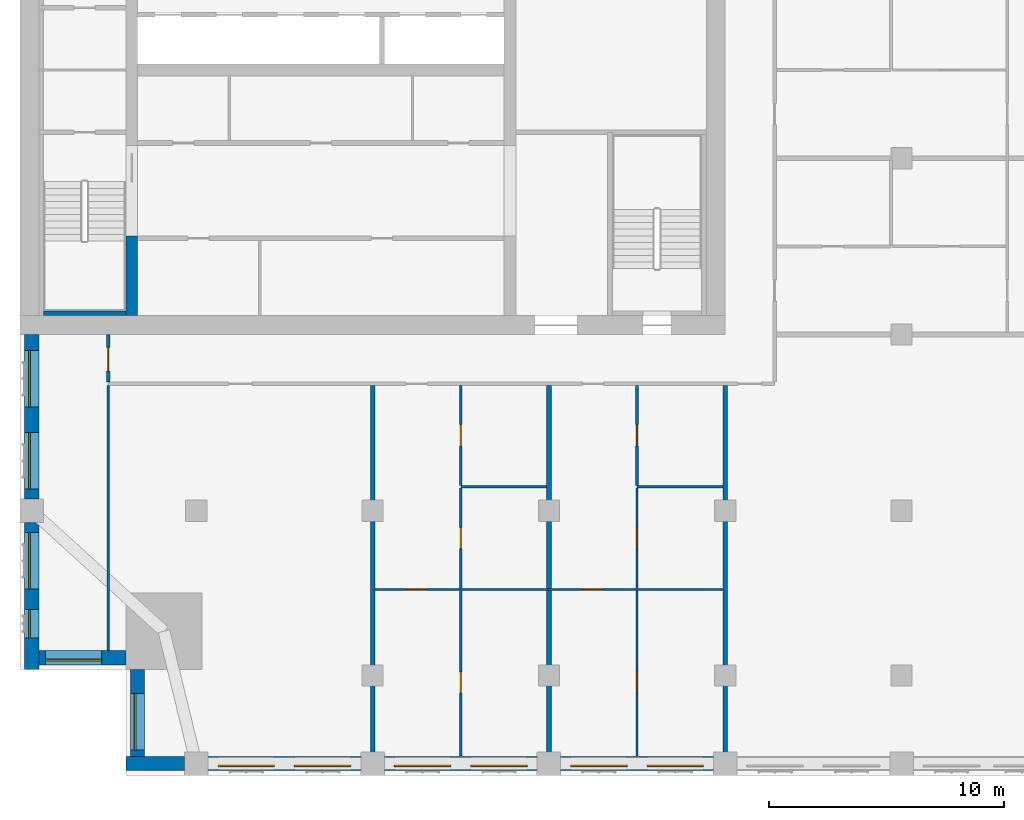
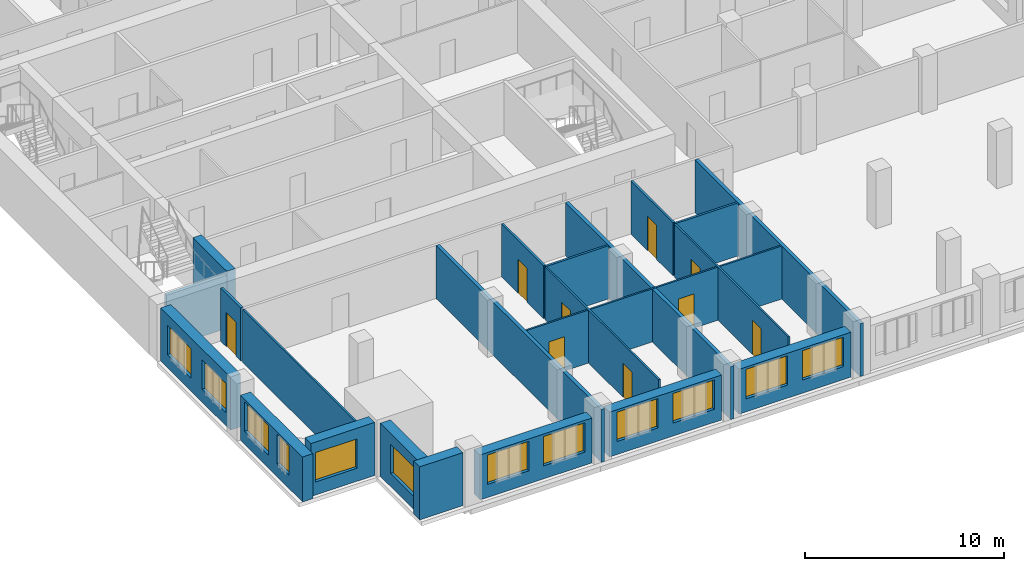
# One storey, part 6 of 14: 22 walls, 12 windows, 9 doors, 21 openings.
"""IFC4 building model written with IfcOpenShell, lengths in metres."""

from ifc_helpers import new_model, si_unit, direction, frame, frame_2d, origin, place, context, subcontext, project, spatial, rectangle, extrude, material, layer, layer_set, type_object, element, fill, save


model = new_model("IFC4")

# Units and contexts
model_context = context("Model", 3, precision=1e-05, world=origin(), true_north=direction((0.0, 1.0)))
body_context = subcontext(model_context, "Body", "Model", "MODEL_VIEW")
ifc_project = project(units=[si_unit("LENGTHUNIT", "METRE"), si_unit("AREAUNIT", "SQUARE_METRE"), si_unit("VOLUMEUNIT", "CUBIC_METRE"), si_unit("PLANEANGLEUNIT", "RADIAN"), si_unit("MASSUNIT", "GRAM", prefix="KILO")], contexts=[model_context])

# Site, building, storey
site_placement = place(None, origin())
site = spatial("IfcSite", under=ifc_project, at=site_placement, CompositionType="ELEMENT")
building_placement = place(site_placement, origin())
building = spatial("IfcBuilding", under=site, at=building_placement, Name="Tamorin Gate", CompositionType="ELEMENT")
storey_placement = place(building_placement, frame((0.0, 0.0, 189.699951171875)))
storey = spatial("IfcBuildingStorey", under=building, at=storey_placement, Name="L46", CompositionType="ELEMENT", Elevation=189.699951171875)

# Wall
ifc_material_1 = material(Name="Precast concrete C40/50", Category="concrete")
ifc_layer_1 = layer(ifc_material_1, 0.60009765625)
ifc_layer_set_1 = layer_set([ifc_layer_1], Name="Precast concrete C40/50")
wall_type_1 = type_object("IfcWallType", Name="Board-marked concrete facade panel 600", PredefinedType="SOLIDWALL", material=ifc_layer_set_1)
wall_1_placement = place(storey_placement, frame((34.5, 41.75, 0.0), z_axis=(0.0, 0.0, 1.0), x_axis=(1.0, 0.0, 0.0)))
element("IfcWall", 1, at=wall_1_placement, inside=storey, type_object=wall_type_1, Name="Facade panel", PredefinedType="SOLIDWALL", context=body_context, shape_type="SweptSolid", body=[
    extrude(rectangle(XDim=2.5, YDim=0.60009765625, at=frame_2d((1.25, 0.0))), origin(), (0.0, 0.0, 1.0), 3.25),
])

# Wall, openings, windows
wall_2_placement = place(storey_placement, frame((38.0, 41.75, 0.0), z_axis=(0.0, 0.0, 1.0), x_axis=(1.0, 0.0, 0.0)))
wall_2 = element("IfcWall", 2, at=wall_2_placement, inside=storey, type_object=wall_type_1, Name="Facade panel", PredefinedType="SOLIDWALL", context=body_context, shape_type="SweptSolid", body=[
    extrude(rectangle(XDim=6.5, YDim=0.60009765625, at=frame_2d((3.25, 0.0))), origin(), (0.0, 0.0, 1.0), 2.75),
])
opening_1_placement = place(wall_2_placement, frame((0.425048828125, 0.0, 0.800048828125)))
opening_1 = element("IfcOpeningElement", 3, at=opening_1_placement, cuts=wall_2, Name="Opening WN1", PredefinedType="OPENING", context=body_context, shape_type="SweptSolid", body=[
    extrude(rectangle(XDim=2.39990234375, YDim=1.800048828125, at=frame_2d((1.199951171875, 0.89990234375))), frame((0.0, 0.31005859375, 0.0), z_axis=(0.0, -1.0, 0.0), x_axis=(1.0, 0.0, 0.0)), (0.0, 0.0, 1.0), 0.6201171875),
])
opening_2_placement = place(wall_2_placement, frame((3.675048828125, 0.0, 0.800048828125)))
opening_2 = element("IfcOpeningElement", 4, at=opening_2_placement, cuts=wall_2, Name="Opening WN1", PredefinedType="OPENING", context=body_context, shape_type="SweptSolid", body=[
    extrude(rectangle(XDim=2.39990234375, YDim=1.800048828125, at=frame_2d((1.199951171875, 0.89990234375))), frame((0.0, 0.31005859375, 0.0), z_axis=(0.0, -1.0, 0.0), x_axis=(1.0, 0.0, 0.0)), (0.0, 0.0, 1.0), 0.6201171875),
])
ifc_material_2 = material(Name="Clear glass in aluminium frame", Category="aluminium")
window_type_1 = type_object("IfcWindowType", Name="Deep-set window 2400x1800", PartitioningType="SINGLE_PANEL", PredefinedType="WINDOW", material=ifc_material_2)
window_1_placement = place(opening_1_placement, origin())
window_1 = element("IfcWindow", 5, at=window_1_placement, inside=storey, type_object=window_type_1, Name="Deep-set window", OverallHeight=1.800048828125, OverallWidth=2.39990234375, PartitioningType="SINGLE_PANEL", PredefinedType="WINDOW", context=body_context, shape_type="SweptSolid", body=[
    extrude(rectangle(XDim=2.39990234375, YDim=1.800048828125, at=frame_2d((1.199951171875, 0.89990234375))), frame((0.0, -0.070068359375, 0.0), z_axis=(0.0, -1.0, 0.0), x_axis=(1.0, 0.0, 0.0)), (0.0, 0.0, 1.0), 0.06005859375),
])
fill(opening_1, window_1)
window_2_placement = place(opening_2_placement, origin())
window_2 = element("IfcWindow", 6, at=window_2_placement, inside=storey, type_object=window_type_1, Name="Deep-set window", OverallHeight=1.800048828125, OverallWidth=2.39990234375, PartitioningType="SINGLE_PANEL", PredefinedType="WINDOW", context=body_context, shape_type="SweptSolid", body=[
    extrude(rectangle(XDim=2.39990234375, YDim=1.800048828125, at=frame_2d((1.199951171875, 0.89990234375))), frame((0.0, -0.070068359375, 0.0), z_axis=(0.0, -1.0, 0.0), x_axis=(1.0, 0.0, 0.0)), (0.0, 0.0, 1.0), 0.06005859375),
])
fill(opening_2, window_2)

wall_3_placement = place(storey_placement, frame((45.5, 41.75, 0.0), z_axis=(0.0, 0.0, 1.0), x_axis=(1.0, 0.0, 0.0)))
wall_3 = element("IfcWall", 7, at=wall_3_placement, inside=storey, type_object=wall_type_1, Name="Facade panel", PredefinedType="SOLIDWALL", context=body_context, shape_type="SweptSolid", body=[
    extrude(rectangle(XDim=6.5, YDim=0.60009765625, at=frame_2d((3.25, 0.0))), origin(), (0.0, 0.0, 1.0), 2.75),
])
opening_3_placement = place(wall_3_placement, frame((0.425048828125, 0.0, 0.800048828125)))
opening_3 = element("IfcOpeningElement", 8, at=opening_3_placement, cuts=wall_3, Name="Opening WN1", PredefinedType="OPENING", context=body_context, shape_type="SweptSolid", body=[
    extrude(rectangle(XDim=2.39990234375, YDim=1.800048828125, at=frame_2d((1.199951171875, 0.89990234375))), frame((0.0, 0.31005859375, 0.0), z_axis=(0.0, -1.0, 0.0), x_axis=(1.0, 0.0, 0.0)), (0.0, 0.0, 1.0), 0.6201171875),
])
opening_4_placement = place(wall_3_placement, frame((3.675048828125, 0.0, 0.800048828125)))
opening_4 = element("IfcOpeningElement", 9, at=opening_4_placement, cuts=wall_3, Name="Opening WN1", PredefinedType="OPENING", context=body_context, shape_type="SweptSolid", body=[
    extrude(rectangle(XDim=2.39990234375, YDim=1.800048828125, at=frame_2d((1.199951171875, 0.89990234375))), frame((0.0, 0.31005859375, 0.0), z_axis=(0.0, -1.0, 0.0), x_axis=(1.0, 0.0, 0.0)), (0.0, 0.0, 1.0), 0.6201171875),
])
window_3_placement = place(opening_3_placement, origin())
window_3 = element("IfcWindow", 10, at=window_3_placement, inside=storey, type_object=window_type_1, Name="Deep-set window", OverallHeight=1.800048828125, OverallWidth=2.39990234375, PartitioningType="SINGLE_PANEL", PredefinedType="WINDOW", context=body_context, shape_type="SweptSolid", body=[
    extrude(rectangle(XDim=2.39990234375, YDim=1.800048828125, at=frame_2d((1.199951171875, 0.89990234375))), frame((0.0, -0.070068359375, 0.0), z_axis=(0.0, -1.0, 0.0), x_axis=(1.0, 0.0, 0.0)), (0.0, 0.0, 1.0), 0.06005859375),
])
fill(opening_3, window_3)
window_4_placement = place(opening_4_placement, origin())
window_4 = element("IfcWindow", 11, at=window_4_placement, inside=storey, type_object=window_type_1, Name="Deep-set window", OverallHeight=1.800048828125, OverallWidth=2.39990234375, PartitioningType="SINGLE_PANEL", PredefinedType="WINDOW", context=body_context, shape_type="SweptSolid", body=[
    extrude(rectangle(XDim=2.39990234375, YDim=1.800048828125, at=frame_2d((1.199951171875, 0.89990234375))), frame((0.0, -0.070068359375, 0.0), z_axis=(0.0, -1.0, 0.0), x_axis=(1.0, 0.0, 0.0)), (0.0, 0.0, 1.0), 0.06005859375),
])
fill(opening_4, window_4)

wall_4_placement = place(storey_placement, frame((53.0, 41.75, 0.0), z_axis=(0.0, 0.0, 1.0), x_axis=(1.0, 0.0, 0.0)))
wall_4 = element("IfcWall", 12, at=wall_4_placement, inside=storey, type_object=wall_type_1, Name="Facade panel", PredefinedType="SOLIDWALL", context=body_context, shape_type="SweptSolid", body=[
    extrude(rectangle(XDim=6.5, YDim=0.60009765625, at=frame_2d((3.25, 0.0))), origin(), (0.0, 0.0, 1.0), 2.75),
])
opening_5_placement = place(wall_4_placement, frame((0.425048828125, 0.0, 0.800048828125)))
opening_5 = element("IfcOpeningElement", 13, at=opening_5_placement, cuts=wall_4, Name="Opening WN1", PredefinedType="OPENING", context=body_context, shape_type="SweptSolid", body=[
    extrude(rectangle(XDim=2.39990234375, YDim=1.800048828125, at=frame_2d((1.199951171875, 0.89990234375))), frame((0.0, 0.31005859375, 0.0), z_axis=(0.0, -1.0, 0.0), x_axis=(1.0, 0.0, 0.0)), (0.0, 0.0, 1.0), 0.6201171875),
])
opening_6_placement = place(wall_4_placement, frame((3.675048828125, 0.0, 0.800048828125)))
opening_6 = element("IfcOpeningElement", 14, at=opening_6_placement, cuts=wall_4, Name="Opening WN1", PredefinedType="OPENING", context=body_context, shape_type="SweptSolid", body=[
    extrude(rectangle(XDim=2.39990234375, YDim=1.800048828125, at=frame_2d((1.199951171875, 0.89990234375))), frame((0.0, 0.31005859375, 0.0), z_axis=(0.0, -1.0, 0.0), x_axis=(1.0, 0.0, 0.0)), (0.0, 0.0, 1.0), 0.6201171875),
])
window_5_placement = place(opening_5_placement, origin())
window_5 = element("IfcWindow", 15, at=window_5_placement, inside=storey, type_object=window_type_1, Name="Deep-set window", OverallHeight=1.800048828125, OverallWidth=2.39990234375, PartitioningType="SINGLE_PANEL", PredefinedType="WINDOW", context=body_context, shape_type="SweptSolid", body=[
    extrude(rectangle(XDim=2.39990234375, YDim=1.800048828125, at=frame_2d((1.199951171875, 0.89990234375))), frame((0.0, -0.070068359375, 0.0), z_axis=(0.0, -1.0, 0.0), x_axis=(1.0, 0.0, 0.0)), (0.0, 0.0, 1.0), 0.06005859375),
])
fill(opening_5, window_5)
window_6_placement = place(opening_6_placement, origin())
window_6 = element("IfcWindow", 16, at=window_6_placement, inside=storey, type_object=window_type_1, Name="Deep-set window", OverallHeight=1.800048828125, OverallWidth=2.39990234375, PartitioningType="SINGLE_PANEL", PredefinedType="WINDOW", context=body_context, shape_type="SweptSolid", body=[
    extrude(rectangle(XDim=2.39990234375, YDim=1.800048828125, at=frame_2d((1.199951171875, 0.89990234375))), frame((0.0, -0.070068359375, 0.0), z_axis=(0.0, -1.0, 0.0), x_axis=(1.0, 0.0, 0.0)), (0.0, 0.0, 1.0), 0.06005859375),
])
fill(opening_6, window_6)

wall_5_placement = place(storey_placement, frame((30.5, 60.0, 0.0), z_axis=(0.0, 0.0, 1.0), x_axis=(0.0, -1.0, 0.0)))
wall_5 = element("IfcWall", 17, at=wall_5_placement, inside=storey, type_object=wall_type_1, Name="Facade panel", PredefinedType="SOLIDWALL", context=body_context, shape_type="SweptSolid", body=[
    extrude(rectangle(XDim=7.0, YDim=0.60009765625, at=frame_2d((3.5, 0.0))), origin(), (0.0, 0.0, 1.0), 3.25),
])
opening_7_placement = place(wall_5_placement, frame((4.175048828125, 0.0, 0.800048828125)))
opening_7 = element("IfcOpeningElement", 18, at=opening_7_placement, cuts=wall_5, Name="Opening WN1", PredefinedType="OPENING", context=body_context, shape_type="SweptSolid", body=[
    extrude(rectangle(XDim=2.39990234375, YDim=1.800048828125, at=frame_2d((1.199951171875, 0.89990234375))), frame((0.0, 0.31005859375, 0.0), z_axis=(0.0, -1.0, 0.0), x_axis=(1.0, 0.0, 0.0)), (0.0, 0.0, 1.0), 0.6201171875),
])
opening_8_placement = place(wall_5_placement, frame((0.675048828125, 0.0, 0.800048828125)))
opening_8 = element("IfcOpeningElement", 19, at=opening_8_placement, cuts=wall_5, Name="Opening WN1", PredefinedType="OPENING", context=body_context, shape_type="SweptSolid", body=[
    extrude(rectangle(XDim=2.39990234375, YDim=1.800048828125, at=frame_2d((1.199951171875, 0.89990234375))), frame((0.0, 0.31005859375, 0.0), z_axis=(0.0, -1.0, 0.0), x_axis=(1.0, 0.0, 0.0)), (0.0, 0.0, 1.0), 0.6201171875),
])
window_7_placement = place(opening_7_placement, origin())
window_7 = element("IfcWindow", 20, at=window_7_placement, inside=storey, type_object=window_type_1, Name="Deep-set window", OverallHeight=1.800048828125, OverallWidth=2.39990234375, PartitioningType="SINGLE_PANEL", PredefinedType="WINDOW", context=body_context, shape_type="SweptSolid", body=[
    extrude(rectangle(XDim=2.39990234375, YDim=1.800048828125, at=frame_2d((1.199951171875, 0.89990234375))), frame((0.0, -0.070068359375, 0.0), z_axis=(0.0, -1.0, 0.0), x_axis=(1.0, 0.0, 0.0)), (0.0, 0.0, 1.0), 0.06005859375),
])
fill(opening_7, window_7)
window_8_placement = place(opening_8_placement, origin())
window_8 = element("IfcWindow", 21, at=window_8_placement, inside=storey, type_object=window_type_1, Name="Deep-set window", OverallHeight=1.800048828125, OverallWidth=2.39990234375, PartitioningType="SINGLE_PANEL", PredefinedType="WINDOW", context=body_context, shape_type="SweptSolid", body=[
    extrude(rectangle(XDim=2.39990234375, YDim=1.800048828125, at=frame_2d((1.199951171875, 0.89990234375))), frame((0.0, -0.070068359375, 0.0), z_axis=(0.0, -1.0, 0.0), x_axis=(1.0, 0.0, 0.0)), (0.0, 0.0, 1.0), 0.06005859375),
])
fill(opening_8, window_8)

wall_6_placement = place(storey_placement, frame((30.5, 52.0, 0.0), z_axis=(0.0, 0.0, 1.0), x_axis=(0.0, -1.0, 0.0)))
wall_6 = element("IfcWall", 22, at=wall_6_placement, inside=storey, type_object=wall_type_1, Name="Facade panel", PredefinedType="SOLIDWALL", context=body_context, shape_type="SweptSolid", body=[
    extrude(rectangle(XDim=6.25, YDim=0.60009765625, at=frame_2d((3.125, 0.0))), origin(), (0.0, 0.0, 1.0), 2.75),
])
opening_9_placement = place(wall_6_placement, frame((3.699951171875, 0.0, 0.800048828125)))
opening_9 = element("IfcOpeningElement", 23, at=opening_9_placement, cuts=wall_6, Name="Opening WN3", PredefinedType="OPENING", context=body_context, shape_type="SweptSolid", body=[
    extrude(rectangle(XDim=1.199951171875, YDim=1.800048828125, at=frame_2d((0.60009765625, 0.89990234375))), frame((0.0, 0.31005859375, 0.0), z_axis=(0.0, -1.0, 0.0), x_axis=(1.0, 0.0, 0.0)), (0.0, 0.0, 1.0), 0.6201171875),
])
opening_10_placement = place(wall_6_placement, frame((0.425048828125, 0.0, 0.800048828125)))
opening_10 = element("IfcOpeningElement", 24, at=opening_10_placement, cuts=wall_6, Name="Opening WN1", PredefinedType="OPENING", context=body_context, shape_type="SweptSolid", body=[
    extrude(rectangle(XDim=2.39990234375, YDim=1.800048828125, at=frame_2d((1.199951171875, 0.89990234375))), frame((0.0, 0.31005859375, 0.0), z_axis=(0.0, -1.0, 0.0), x_axis=(1.0, 0.0, 0.0)), (0.0, 0.0, 1.0), 0.6201171875),
])
window_type_2 = type_object("IfcWindowType", Name="Deep-set window 1200x1800", PartitioningType="SINGLE_PANEL", PredefinedType="WINDOW", material=ifc_material_2)
window_9_placement = place(opening_9_placement, origin())
window_9 = element("IfcWindow", 25, at=window_9_placement, inside=storey, type_object=window_type_2, Name="Deep-set window", OverallHeight=1.800048828125, OverallWidth=1.199951171875, PartitioningType="SINGLE_PANEL", PredefinedType="WINDOW", context=body_context, shape_type="SweptSolid", body=[
    extrude(rectangle(XDim=1.199951171875, YDim=1.800048828125, at=frame_2d((0.60009765625, 0.89990234375))), frame((0.0, -0.070068359375, 0.0), z_axis=(0.0, -1.0, 0.0), x_axis=(1.0, 0.0, 0.0)), (0.0, 0.0, 1.0), 0.06005859375),
])
fill(opening_9, window_9)
window_10_placement = place(opening_10_placement, origin())
window_10 = element("IfcWindow", 26, at=window_10_placement, inside=storey, type_object=window_type_1, Name="Deep-set window", OverallHeight=1.800048828125, OverallWidth=2.39990234375, PartitioningType="SINGLE_PANEL", PredefinedType="WINDOW", context=body_context, shape_type="SweptSolid", body=[
    extrude(rectangle(XDim=2.39990234375, YDim=1.800048828125, at=frame_2d((1.199951171875, 0.89990234375))), frame((0.0, -0.070068359375, 0.0), z_axis=(0.0, -1.0, 0.0), x_axis=(1.0, 0.0, 0.0)), (0.0, 0.0, 1.0), 0.06005859375),
])
fill(opening_10, window_10)

# Wall, opening, window
wall_7_placement = place(storey_placement, frame((30.800048828125, 46.25, 0.0), z_axis=(0.0, 0.0, 1.0), x_axis=(1.0, 0.0, 0.0)))
wall_7 = element("IfcWall", 27, at=wall_7_placement, inside=storey, type_object=wall_type_1, Name="Facade panel", PredefinedType="SOLIDWALL", context=body_context, shape_type="SweptSolid", body=[
    extrude(rectangle(XDim=3.699951171875, YDim=0.60009765625, at=frame_2d((1.85009765625, 0.0))), origin(), (0.0, 0.0, 1.0), 3.25),
])
opening_11_placement = place(wall_7_placement, frame((0.27490234375, 0.0, 0.800048828125)))
opening_11 = element("IfcOpeningElement", 28, at=opening_11_placement, cuts=wall_7, Name="Opening WN1", PredefinedType="OPENING", context=body_context, shape_type="SweptSolid", body=[
    extrude(rectangle(XDim=2.39990234375, YDim=1.800048828125, at=frame_2d((1.199951171875, 0.89990234375))), frame((0.0, 0.31005859375, 0.0), z_axis=(0.0, -1.0, 0.0), x_axis=(1.0, 0.0, 0.0)), (0.0, 0.0, 1.0), 0.6201171875),
])
window_11_placement = place(opening_11_placement, origin())
window_11 = element("IfcWindow", 29, at=window_11_placement, inside=storey, type_object=window_type_1, Name="Deep-set window", OverallHeight=1.800048828125, OverallWidth=2.39990234375, PartitioningType="SINGLE_PANEL", PredefinedType="WINDOW", context=body_context, shape_type="SweptSolid", body=[
    extrude(rectangle(XDim=2.39990234375, YDim=1.800048828125, at=frame_2d((1.199951171875, 0.89990234375))), frame((0.0, -0.070068359375, 0.0), z_axis=(0.0, -1.0, 0.0), x_axis=(1.0, 0.0, 0.0)), (0.0, 0.0, 1.0), 0.06005859375),
])
fill(opening_11, window_11)

wall_8_placement = place(storey_placement, frame((35.0, 45.75, 0.0), z_axis=(0.0, 0.0, 1.0), x_axis=(0.0, -1.0, 0.0)))
wall_8 = element("IfcWall", 30, at=wall_8_placement, inside=storey, type_object=wall_type_1, Name="Facade panel", PredefinedType="SOLIDWALL", context=body_context, shape_type="SweptSolid", body=[
    extrude(rectangle(XDim=3.699951171875, YDim=0.60009765625, at=frame_2d((1.85009765625, 0.0))), origin(), (0.0, 0.0, 1.0), 3.25),
])
opening_12_placement = place(wall_8_placement, frame((1.02490234375, 0.0, 0.800048828125)))
opening_12 = element("IfcOpeningElement", 31, at=opening_12_placement, cuts=wall_8, Name="Opening WN1", PredefinedType="OPENING", context=body_context, shape_type="SweptSolid", body=[
    extrude(rectangle(XDim=2.39990234375, YDim=1.800048828125, at=frame_2d((1.199951171875, 0.89990234375))), frame((0.0, 0.31005859375, 0.0), z_axis=(0.0, -1.0, 0.0), x_axis=(1.0, 0.0, 0.0)), (0.0, 0.0, 1.0), 0.6201171875),
])
window_12_placement = place(opening_12_placement, origin())
window_12 = element("IfcWindow", 32, at=window_12_placement, inside=storey, type_object=window_type_1, Name="Deep-set window", OverallHeight=1.800048828125, OverallWidth=2.39990234375, PartitioningType="SINGLE_PANEL", PredefinedType="WINDOW", context=body_context, shape_type="SweptSolid", body=[
    extrude(rectangle(XDim=2.39990234375, YDim=1.800048828125, at=frame_2d((1.199951171875, 0.89990234375))), frame((0.0, -0.070068359375, 0.0), z_axis=(0.0, -1.0, 0.0), x_axis=(1.0, 0.0, 0.0)), (0.0, 0.0, 1.0), 0.06005859375),
])
fill(opening_12, window_12)

# Wall, opening, door
ifc_material_3 = material(Name="Gypsum board partition")
ifc_layer_2 = layer(ifc_material_3, 0.14990234375)
ifc_layer_set_2 = layer_set([ifc_layer_2], Name="Corridor wall 150")
wall_type_2 = type_object("IfcWallType", Name="Corridor wall 150", PredefinedType="PARTITIONING", material=ifc_layer_set_2)
wall_9_placement = place(storey_placement, frame((33.75, 57.97509765625, 0.0), z_axis=(0.0, 0.0, 1.0), x_axis=(0.0, 1.0, 0.0)))
wall_9 = element("IfcWall", 33, at=wall_9_placement, inside=storey, type_object=wall_type_2, Name="Corridor wall 150", PredefinedType="PARTITIONING", context=body_context, shape_type="SweptSolid", body=[
    extrude(rectangle(XDim=2.02490234375, YDim=0.14990234375, at=frame_2d((1.012451171875, 0.0))), origin(), (0.0, 0.0, 1.0), 3.25),
])
opening_13_placement = place(wall_9_placement, frame((0.47509765625, 0.0, 0.0)))
opening_13 = element("IfcOpeningElement", 34, at=opening_13_placement, cuts=wall_9, Name="Opening DR4001", PredefinedType="OPENING", context=body_context, shape_type="SweptSolid", body=[
    extrude(rectangle(XDim=1.0, YDim=2.10009765625, at=frame_2d((0.5, 1.050048828125))), frame((0.0, 0.0849609375, 0.0), z_axis=(0.0, -1.0, 0.0), x_axis=(1.0, 0.0, 0.0)), (0.0, 0.0, 1.0), 0.169921875),
])
ifc_material_4 = material(Name="Timber door leaf", Category="wood")
door_type_1 = type_object("IfcDoorType", Name="Door 1000 x 2100 FD30S", OperationType="NOTDEFINED", PredefinedType="DOOR", material=ifc_material_4)
door_1_placement = place(opening_13_placement, origin())
door_1 = element("IfcDoor", 35, at=door_1_placement, inside=storey, type_object=door_type_1, Name="Door DR4001", OperationType="SINGLE_SWING_LEFT", OverallHeight=2.10009765625, OverallWidth=1.0, PredefinedType="DOOR", context=body_context, shape_type="SweptSolid", body=[
    extrude(rectangle(XDim=1.0, YDim=2.10009765625, at=frame_2d((0.5, 1.050048828125))), frame((0.0, 0.02490234375, 0.0), z_axis=(0.0, -1.0, 0.0), x_axis=(1.0, 0.0, 0.0)), (0.0, 0.0, 1.0), 0.050048828125),
])
fill(opening_13, door_1)

# Walls
ifc_layer_3 = layer(ifc_material_3, 0.199951171875)
ifc_layer_set_3 = layer_set([ifc_layer_3], Name="Demising wall 200")
wall_type_3 = type_object("IfcWallType", Name="Demising wall 200", PredefinedType="PARTITIONING", material=ifc_layer_set_3)
for number, where, z_axis, x_axis, name in (
    (36, (45.0, 41.25, 0.0), (0.0, 0.0, 1.0), (0.0, 1.0, 0.0), "Demising wall 200"),
    (37, (52.5, 41.25, 0.0), (0.0, 0.0, 1.0), (0.0, 1.0, 0.0), "Demising wall 200"),
    (38, (60.0, 41.25, 0.0), (0.0, 0.0, 1.0), (0.0, 1.0, 0.0), "Demising wall 200"),
):
    element("IfcWall", number, at=place(storey_placement, frame(where, z_axis=z_axis, x_axis=x_axis)), inside=storey, type_object=wall_type_3, Name=name, PredefinedType="PARTITIONING", context=body_context, shape_type="SweptSolid", body=[
        extrude(rectangle(XDim=16.574951171875, YDim=0.199951171875, at=frame_2d((8.28759765625, 0.0))), origin(), (0.0, 0.0, 1.0), 3.25),
    ])
ifc_material_5 = material(Name="Concrete C60/75", Category="concrete")
ifc_layer_4 = layer(ifc_material_5, 0.5)
ifc_layer_set_4 = layer_set([ifc_layer_4], Name="RC core internal wall 500 C60/75")
wall_type_4 = type_object("IfcWallType", Name="RC core internal wall 500 C60/75", PredefinedType="SHEAR", material=ifc_layer_set_4)
wall_10_placement = place(storey_placement, frame((34.75, 60.800048828125, 0.0), z_axis=(0.0, 0.0, 1.0), x_axis=(0.0, 1.0, 0.0)))
element("IfcWall", 39, at=wall_10_placement, inside=storey, type_object=wall_type_4, Name="Core cross wall L46", PredefinedType="SHEAR", context=body_context, shape_type="SweptSolid", body=[
    extrude(rectangle(XDim=3.39990234375, YDim=0.5, at=frame_2d((1.699951171875, 0.0))), origin(), (0.0, 0.0, 1.0), 3.5),
])

# Wall, openings, doors
ifc_layer_5 = layer(ifc_material_3, 0.10009765625)
ifc_layer_set_5 = layer_set([ifc_layer_5], Name="Room partition 100")
wall_type_5 = type_object("IfcWallType", Name="Room partition 100", PredefinedType="PARTITIONING", material=ifc_layer_set_5)
wall_11_placement = place(storey_placement, frame((45.10009765625, 49.14990234375, 0.0), z_axis=(0.0, 0.0, 1.0), x_axis=(1.0, 0.0, 0.0)))
wall_11 = element("IfcWall", 40, at=wall_11_placement, inside=storey, type_object=wall_type_5, Name="Room partition 100", PredefinedType="PARTITIONING", context=body_context, shape_type="SweptSolid", body=[
    extrude(rectangle(XDim=14.7998046875, YDim=0.10009765625, at=frame_2d((7.39990234375, 0.0))), origin(), (0.0, 0.0, 1.0), 3.25),
])
opening_14_placement = place(wall_11_placement, frame((1.324951171875, 0.0, 0.0)))
opening_14 = element("IfcOpeningElement", 41, at=opening_14_placement, cuts=wall_11, Name="Opening DR4004", PredefinedType="OPENING", context=body_context, shape_type="SweptSolid", body=[
    extrude(rectangle(XDim=0.89990234375, YDim=2.10009765625, at=frame_2d((0.449951171875, 1.050048828125))), frame((0.0, 0.06005859375, 0.0), z_axis=(0.0, -1.0, 0.0), x_axis=(1.0, 0.0, 0.0)), (0.0, 0.0, 1.0), 0.1201171875),
])
opening_15_placement = place(wall_11_placement, frame((8.824951171875, 0.0, 0.0)))
opening_15 = element("IfcOpeningElement", 42, at=opening_15_placement, cuts=wall_11, Name="Opening DR4009", PredefinedType="OPENING", context=body_context, shape_type="SweptSolid", body=[
    extrude(rectangle(XDim=0.89990234375, YDim=2.10009765625, at=frame_2d((0.449951171875, 1.050048828125))), frame((0.0, 0.06005859375, 0.0), z_axis=(0.0, -1.0, 0.0), x_axis=(1.0, 0.0, 0.0)), (0.0, 0.0, 1.0), 0.1201171875),
])
door_type_2 = type_object("IfcDoorType", Name="Door 900 x 2100", OperationType="NOTDEFINED", PredefinedType="DOOR", material=ifc_material_4)
door_2_placement = place(opening_14_placement, origin())
door_2 = element("IfcDoor", 43, at=door_2_placement, inside=storey, type_object=door_type_2, Name="Door DR4004", OperationType="SINGLE_SWING_LEFT", OverallHeight=2.10009765625, OverallWidth=0.89990234375, PredefinedType="DOOR", context=body_context, shape_type="SweptSolid", body=[
    extrude(rectangle(XDim=0.89990234375, YDim=2.10009765625, at=frame_2d((0.449951171875, 1.050048828125))), frame((0.0, 0.02490234375, 0.0), z_axis=(0.0, -1.0, 0.0), x_axis=(1.0, 0.0, 0.0)), (0.0, 0.0, 1.0), 0.050048828125),
])
fill(opening_14, door_2)
door_3_placement = place(opening_15_placement, origin())
door_3 = element("IfcDoor", 44, at=door_3_placement, inside=storey, type_object=door_type_2, Name="Door DR4009", OperationType="SINGLE_SWING_LEFT", OverallHeight=2.10009765625, OverallWidth=0.89990234375, PredefinedType="DOOR", context=body_context, shape_type="SweptSolid", body=[
    extrude(rectangle(XDim=0.89990234375, YDim=2.10009765625, at=frame_2d((0.449951171875, 1.050048828125))), frame((0.0, 0.02490234375, 0.0), z_axis=(0.0, -1.0, 0.0), x_axis=(1.0, 0.0, 0.0)), (0.0, 0.0, 1.0), 0.050048828125),
])
fill(opening_15, door_3)

# Wall
wall_12_placement = place(storey_placement, frame((33.75, 46.56005859375, 0.0), z_axis=(0.0, 0.0, 1.0), x_axis=(0.0, 1.0, 0.0)))
element("IfcWall", 45, at=wall_12_placement, inside=storey, type_object=wall_type_5, Name="Room partition 100", PredefinedType="PARTITIONING", context=body_context, shape_type="SweptSolid", body=[
    extrude(rectangle(XDim=11.264892578125, YDim=0.10009765625, at=frame_2d((5.63232421875, 0.0))), origin(), (0.0, 0.0, 1.0), 3.25),
])

# Wall, openings, doors
wall_13_placement = place(storey_placement, frame((48.75, 42.06005859375, 0.0), z_axis=(0.0, 0.0, 1.0), x_axis=(0.0, 1.0, 0.0)))
wall_13 = element("IfcWall", 46, at=wall_13_placement, inside=storey, type_object=wall_type_5, Name="Room partition 100", PredefinedType="PARTITIONING", context=body_context, shape_type="SweptSolid", body=[
    extrude(rectangle(XDim=11.40234375, YDim=0.10009765625, at=frame_2d((5.701171875, 0.0))), origin(), (0.0, 0.0, 1.0), 3.25),
])
opening_16_placement = place(wall_13_placement, frame((8.827392578125, 0.0, 0.0)))
opening_16 = element("IfcOpeningElement", 47, at=opening_16_placement, cuts=wall_13, Name="Opening DR4005", PredefinedType="OPENING", context=body_context, shape_type="SweptSolid", body=[
    extrude(rectangle(XDim=0.89990234375, YDim=2.10009765625, at=frame_2d((0.449951171875, 1.050048828125))), frame((0.0, 0.06005859375, 0.0), z_axis=(0.0, -1.0, 0.0), x_axis=(1.0, 0.0, 0.0)), (0.0, 0.0, 1.0), 0.1201171875),
])
opening_17_placement = place(wall_13_placement, frame((2.68994140625, 0.0, 0.0)))
opening_17 = element("IfcOpeningElement", 48, at=opening_17_placement, cuts=wall_13, Name="Opening DR4007", PredefinedType="OPENING", context=body_context, shape_type="SweptSolid", body=[
    extrude(rectangle(XDim=0.89990234375, YDim=2.10009765625, at=frame_2d((0.449951171875, 1.050048828125))), frame((0.0, 0.06005859375, 0.0), z_axis=(0.0, -1.0, 0.0), x_axis=(1.0, 0.0, 0.0)), (0.0, 0.0, 1.0), 0.1201171875),
])
door_4_placement = place(opening_16_placement, origin())
door_4 = element("IfcDoor", 49, at=door_4_placement, inside=storey, type_object=door_type_2, Name="Door DR4005", OperationType="SINGLE_SWING_RIGHT", OverallHeight=2.10009765625, OverallWidth=0.89990234375, PredefinedType="DOOR", context=body_context, shape_type="SweptSolid", body=[
    extrude(rectangle(XDim=0.89990234375, YDim=2.10009765625, at=frame_2d((0.449951171875, 1.050048828125))), frame((0.0, 0.02490234375, 0.0), z_axis=(0.0, -1.0, 0.0), x_axis=(1.0, 0.0, 0.0)), (0.0, 0.0, 1.0), 0.050048828125),
])
fill(opening_16, door_4)
door_5_placement = place(opening_17_placement, origin())
door_5 = element("IfcDoor", 50, at=door_5_placement, inside=storey, type_object=door_type_2, Name="Door DR4007", OperationType="SINGLE_SWING_LEFT", OverallHeight=2.10009765625, OverallWidth=0.89990234375, PredefinedType="DOOR", context=body_context, shape_type="SweptSolid", body=[
    extrude(rectangle(XDim=0.89990234375, YDim=2.10009765625, at=frame_2d((0.449951171875, 1.050048828125))), frame((0.0, 0.02490234375, 0.0), z_axis=(0.0, -1.0, 0.0), x_axis=(1.0, 0.0, 0.0)), (0.0, 0.0, 1.0), 0.050048828125),
])
fill(opening_17, door_5)

wall_14_placement = place(storey_placement, frame((56.25, 42.06005859375, 0.0), z_axis=(0.0, 0.0, 1.0), x_axis=(0.0, 1.0, 0.0)))
wall_14 = element("IfcWall", 51, at=wall_14_placement, inside=storey, type_object=wall_type_5, Name="Room partition 100", PredefinedType="PARTITIONING", context=body_context, shape_type="SweptSolid", body=[
    extrude(rectangle(XDim=11.40234375, YDim=0.10009765625, at=frame_2d((5.701171875, 0.0))), origin(), (0.0, 0.0, 1.0), 3.25),
])
opening_18_placement = place(wall_14_placement, frame((8.827392578125, 0.0, 0.0)))
opening_18 = element("IfcOpeningElement", 52, at=opening_18_placement, cuts=wall_14, Name="Opening DR4010", PredefinedType="OPENING", context=body_context, shape_type="SweptSolid", body=[
    extrude(rectangle(XDim=0.89990234375, YDim=2.10009765625, at=frame_2d((0.449951171875, 1.050048828125))), frame((0.0, 0.06005859375, 0.0), z_axis=(0.0, -1.0, 0.0), x_axis=(1.0, 0.0, 0.0)), (0.0, 0.0, 1.0), 0.1201171875),
])
opening_19_placement = place(wall_14_placement, frame((2.68994140625, 0.0, 0.0)))
opening_19 = element("IfcOpeningElement", 53, at=opening_19_placement, cuts=wall_14, Name="Opening DR4012", PredefinedType="OPENING", context=body_context, shape_type="SweptSolid", body=[
    extrude(rectangle(XDim=0.89990234375, YDim=2.10009765625, at=frame_2d((0.449951171875, 1.050048828125))), frame((0.0, 0.06005859375, 0.0), z_axis=(0.0, -1.0, 0.0), x_axis=(1.0, 0.0, 0.0)), (0.0, 0.0, 1.0), 0.1201171875),
])
door_6_placement = place(opening_18_placement, origin())
door_6 = element("IfcDoor", 54, at=door_6_placement, inside=storey, type_object=door_type_2, Name="Door DR4010", OperationType="SINGLE_SWING_RIGHT", OverallHeight=2.10009765625, OverallWidth=0.89990234375, PredefinedType="DOOR", context=body_context, shape_type="SweptSolid", body=[
    extrude(rectangle(XDim=0.89990234375, YDim=2.10009765625, at=frame_2d((0.449951171875, 1.050048828125))), frame((0.0, 0.02490234375, 0.0), z_axis=(0.0, -1.0, 0.0), x_axis=(1.0, 0.0, 0.0)), (0.0, 0.0, 1.0), 0.050048828125),
])
fill(opening_18, door_6)
door_7_placement = place(opening_19_placement, origin())
door_7 = element("IfcDoor", 55, at=door_7_placement, inside=storey, type_object=door_type_2, Name="Door DR4012", OperationType="SINGLE_SWING_LEFT", OverallHeight=2.10009765625, OverallWidth=0.89990234375, PredefinedType="DOOR", context=body_context, shape_type="SweptSolid", body=[
    extrude(rectangle(XDim=0.89990234375, YDim=2.10009765625, at=frame_2d((0.449951171875, 1.050048828125))), frame((0.0, 0.02490234375, 0.0), z_axis=(0.0, -1.0, 0.0), x_axis=(1.0, 0.0, 0.0)), (0.0, 0.0, 1.0), 0.050048828125),
])
fill(opening_19, door_7)

# Walls
ifc_layer_6 = layer(ifc_material_5, 0.199951171875)
ifc_layer_set_6 = layer_set([ifc_layer_6], Name="Stair lining wall 200 EI 120 C60/75")
wall_type_6 = type_object("IfcWallType", Name="Stair lining wall 200 EI 120 C60/75", PredefinedType="SOLIDWALL", material=ifc_layer_set_6)
wall_15_placement = place(storey_placement, frame((31.0, 60.89990234375, 0.0), z_axis=(0.0, 0.0, 1.0), x_axis=(1.0, 0.0, 0.0)))
element("IfcWall", 56, at=wall_15_placement, inside=storey, type_object=wall_type_6, Name="Stair lining wall", PredefinedType="SOLIDWALL", context=body_context, shape_type="SweptSolid", body=[
    extrude(rectangle(XDim=3.5, YDim=0.199951171875, at=frame_2d((1.75, 0.0))), origin(), (0.0, 0.0, 1.0), 3.25),
])
ifc_layer_7 = layer(ifc_material_3, 0.125)
ifc_layer_set_7 = layer_set([ifc_layer_7], Name="Wet wall 125")
wall_type_7 = type_object("IfcWallType", Name="Wet wall 125", PredefinedType="PARTITIONING", material=ifc_layer_set_7)
for number, where, z_axis, x_axis, name in (
    (57, (48.75, 53.52490234375, 0.0), (0.0, 0.0, 1.0), (1.0, 0.0, 0.0), "Wet wall 125"),
    (58, (56.25, 53.52490234375, 0.0), (0.0, 0.0, 1.0), (1.0, 0.0, 0.0), "Wet wall 125"),
):
    element("IfcWall", number, at=place(storey_placement, frame(where, z_axis=z_axis, x_axis=x_axis)), inside=storey, type_object=wall_type_7, Name=name, PredefinedType="PARTITIONING", context=body_context, shape_type="SweptSolid", body=[
        extrude(rectangle(XDim=3.64990234375, YDim=0.125, at=frame_2d((1.824951171875, 0.0))), origin(), (0.0, 0.0, 1.0), 3.25),
    ])

# Wall, opening, door
wall_16_placement = place(storey_placement, frame((48.75, 53.58740234375, 0.0), z_axis=(0.0, 0.0, 1.0), x_axis=(0.0, 1.0, 0.0)))
wall_16 = element("IfcWall", 59, at=wall_16_placement, inside=storey, type_object=wall_type_7, Name="Wet wall 125", PredefinedType="PARTITIONING", context=body_context, shape_type="SweptSolid", body=[
    extrude(rectangle(XDim=4.237548828125, YDim=0.125, at=frame_2d((2.11865234375, 0.0))), origin(), (0.0, 0.0, 1.0), 3.25),
])
opening_20_placement = place(wall_16_placement, frame((1.675048828125, 0.0, 0.0)))
opening_20 = element("IfcOpeningElement", 60, at=opening_20_placement, cuts=wall_16, Name="Opening DR4006", PredefinedType="OPENING", context=body_context, shape_type="SweptSolid", body=[
    extrude(rectangle(XDim=0.89990234375, YDim=2.10009765625, at=frame_2d((0.449951171875, 1.050048828125))), frame((0.0, 0.072509765625, 0.0), z_axis=(0.0, -1.0, 0.0), x_axis=(1.0, 0.0, 0.0)), (0.0, 0.0, 1.0), 0.14501953125),
])
door_8_placement = place(opening_20_placement, origin())
door_8 = element("IfcDoor", 61, at=door_8_placement, inside=storey, type_object=door_type_2, Name="Door DR4006", OperationType="SINGLE_SWING_RIGHT", OverallHeight=2.10009765625, OverallWidth=0.89990234375, PredefinedType="DOOR", context=body_context, shape_type="SweptSolid", body=[
    extrude(rectangle(XDim=0.89990234375, YDim=2.10009765625, at=frame_2d((0.449951171875, 1.050048828125))), frame((0.0, 0.02490234375, 0.0), z_axis=(0.0, -1.0, 0.0), x_axis=(1.0, 0.0, 0.0)), (0.0, 0.0, 1.0), 0.050048828125),
])
fill(opening_20, door_8)

wall_17_placement = place(storey_placement, frame((56.25, 53.58740234375, 0.0), z_axis=(0.0, 0.0, 1.0), x_axis=(0.0, 1.0, 0.0)))
wall_17 = element("IfcWall", 62, at=wall_17_placement, inside=storey, type_object=wall_type_7, Name="Wet wall 125", PredefinedType="PARTITIONING", context=body_context, shape_type="SweptSolid", body=[
    extrude(rectangle(XDim=4.237548828125, YDim=0.125, at=frame_2d((2.11865234375, 0.0))), origin(), (0.0, 0.0, 1.0), 3.25),
])
opening_21_placement = place(wall_17_placement, frame((1.675048828125, 0.0, 0.0)))
opening_21 = element("IfcOpeningElement", 63, at=opening_21_placement, cuts=wall_17, Name="Opening DR4011", PredefinedType="OPENING", context=body_context, shape_type="SweptSolid", body=[
    extrude(rectangle(XDim=0.89990234375, YDim=2.10009765625, at=frame_2d((0.449951171875, 1.050048828125))), frame((0.0, 0.072509765625, 0.0), z_axis=(0.0, -1.0, 0.0), x_axis=(1.0, 0.0, 0.0)), (0.0, 0.0, 1.0), 0.14501953125),
])
door_9_placement = place(opening_21_placement, origin())
door_9 = element("IfcDoor", 64, at=door_9_placement, inside=storey, type_object=door_type_2, Name="Door DR4011", OperationType="SINGLE_SWING_RIGHT", OverallHeight=2.10009765625, OverallWidth=0.89990234375, PredefinedType="DOOR", context=body_context, shape_type="SweptSolid", body=[
    extrude(rectangle(XDim=0.89990234375, YDim=2.10009765625, at=frame_2d((0.449951171875, 1.050048828125))), frame((0.0, 0.02490234375, 0.0), z_axis=(0.0, -1.0, 0.0), x_axis=(1.0, 0.0, 0.0)), (0.0, 0.0, 1.0), 0.050048828125),
])
fill(opening_21, door_9)

save(model, "model.ifc")
